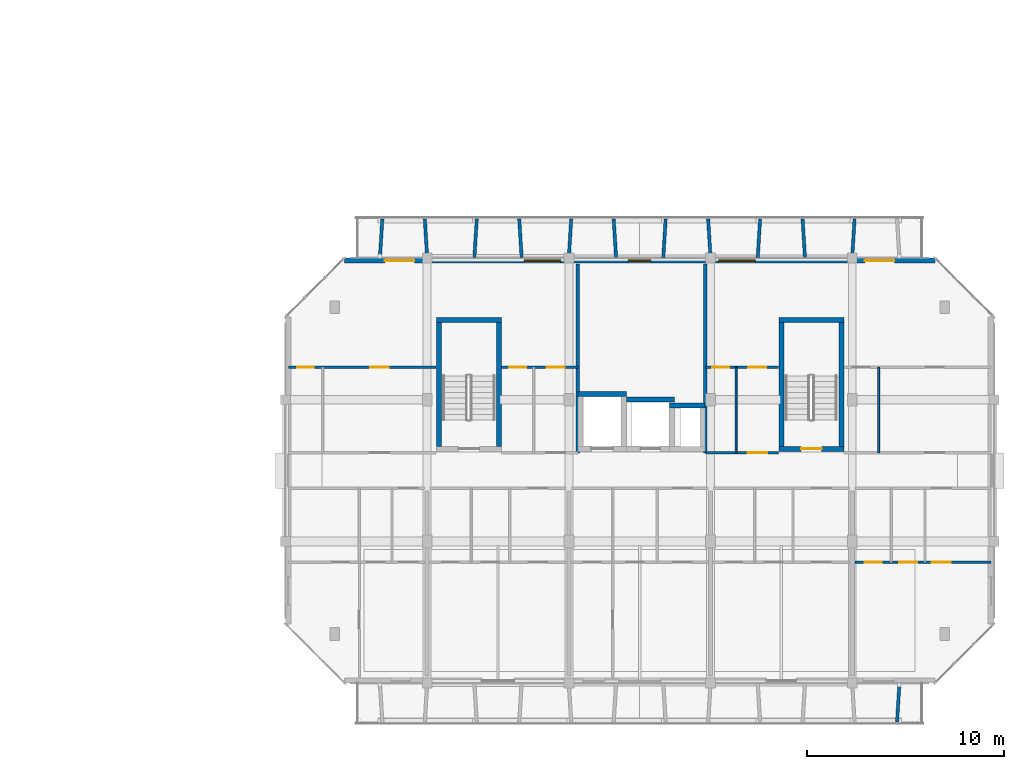
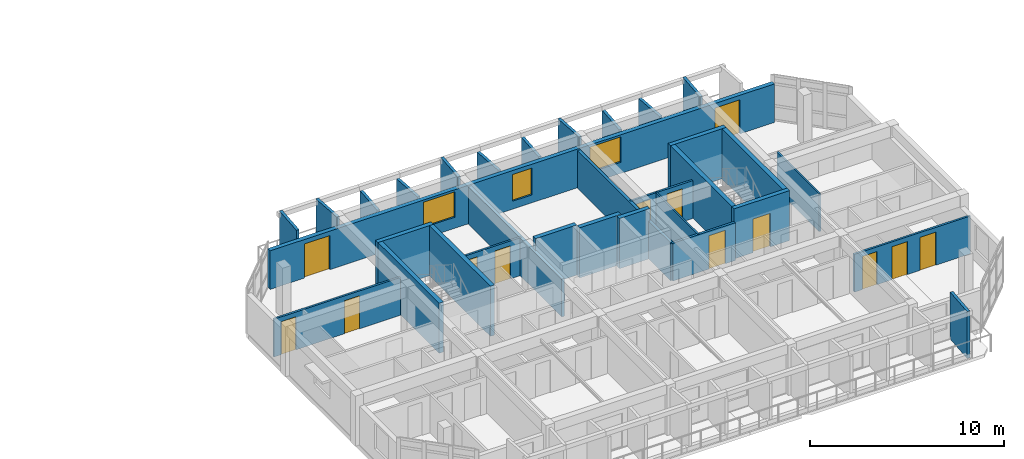
# One storey, part 24 of 40: 32 walls, 13 doors, 3 windows, 16 openings.
"""IFC4 building model written with IfcOpenShell, lengths in metres."""

from ifc_helpers import new_model, si_unit, direction, frame, frame_2d, origin, place, context, subcontext, project, spatial, rectangle, extrude, material, layer, layer_set, type_object, element, fill, save


model = new_model("IFC4")

# Units and contexts
model_context = context("Model", 3, precision=1e-05, world=origin(), true_north=direction((0.0, 1.0)))
body_context = subcontext(model_context, "Body", "Model", "MODEL_VIEW")
ifc_project = project(units=[si_unit("LENGTHUNIT", "METRE"), si_unit("AREAUNIT", "SQUARE_METRE"), si_unit("VOLUMEUNIT", "CUBIC_METRE"), si_unit("PLANEANGLEUNIT", "RADIAN"), si_unit("MASSUNIT", "GRAM", prefix="KILO")], contexts=[model_context])

# Site, building, storey
site_placement = place(None, origin())
site = spatial("IfcSite", under=ifc_project, at=site_placement, CompositionType="ELEMENT")
building_placement = place(site_placement, origin())
building = spatial("IfcBuilding", under=site, at=building_placement, Name="Ochrevale Crest", CompositionType="ELEMENT")
storey_placement = place(building_placement, frame((0.0, 0.0, 27.60009765625)))
storey = spatial("IfcBuildingStorey", under=building, at=storey_placement, Name="L08", CompositionType="ELEMENT", Elevation=27.60009765625)

# Wall, opening, door
ifc_material_1 = material(Name="Gypsum plasterboard", Category="gypsum")
ifc_layer_1 = layer(ifc_material_1, 0.139892578125)
ifc_layer_set_1 = layer_set([ifc_layer_1], Name="Gypsum plasterboard")
wall_type_1 = type_object("IfcWallType", Name="WL-COR-140", PredefinedType="PARTITIONING", material=ifc_layer_set_1)
wall_1_placement = place(storey_placement, frame((150.93994140625, 26.10009765625, 0.0), z_axis=(0.0, 0.0, 1.0), x_axis=(1.0, 0.0, 0.0)))
wall_1 = element("IfcWall", 1, at=wall_1_placement, inside=storey, type_object=wall_type_1, Name="Suite C-L08-ME corridor wall", PredefinedType="PARTITIONING", context=body_context, shape_type="SweptSolid", body=[
    extrude(rectangle(XDim=3.719970703125, YDim=0.139892578125, at=frame_2d((1.85986328125, 0.0))), origin(), (0.0, 0.0, 1.0), 2.3798828125),
])
opening_1_placement = place(wall_1_placement, frame((2.151123046875, 0.0, 0.0)))
opening_1 = element("IfcOpeningElement", 2, at=opening_1_placement, cuts=wall_1, Name="Opening FD01", PredefinedType="OPENING", context=body_context, shape_type="SweptSolid", body=[
    extrude(rectangle(XDim=0.97998046875, YDim=2.10009765625, at=frame_2d((0.489990234375, 1.050048828125))), frame((0.0, 0.080078125, 0.0), z_axis=(0.0, -1.0, 0.0), x_axis=(1.0, 0.0, 0.0)), (0.0, 0.0, 1.0), 0.159912109375),
])
ifc_material_2 = material(Name="Solid-core FSC hardwood", Category="wood")
door_type_1 = type_object("IfcDoorType", Name="DR-APT-950", OperationType="NOTDEFINED", PredefinedType="DOOR", material=ifc_material_2)
door_1_placement = place(opening_1_placement, origin())
door_1 = element("IfcDoor", 3, at=door_1_placement, inside=storey, type_object=door_type_1, Name="Suite C-L08-ME entrance door", OperationType="SINGLE_SWING_LEFT", OverallHeight=2.10009765625, OverallWidth=0.97998046875, PredefinedType="DOOR", context=body_context, shape_type="SweptSolid", body=[
    extrude(rectangle(XDim=0.97998046875, YDim=2.10009765625, at=frame_2d((0.489990234375, 1.050048828125))), frame((0.0, 0.02490234375, 0.0), z_axis=(0.0, -1.0, 0.0), x_axis=(1.0, 0.0, 0.0)), (0.0, 0.0, 1.0), 0.050048828125),
])
fill(opening_1, door_1)

# Walls
ifc_material_3 = material(Name="Precast concrete C50/60", Category="concrete")
ifc_layer_2 = layer(ifc_material_3, 0.2548828125)
ifc_layer_set_2 = layer_set([ifc_layer_2], Name="Precast concrete C50/60")
wall_type_2 = type_object("IfcWallType", Name="WL-CORE-255", PredefinedType="SHEAR", material=ifc_layer_set_2)
wall_2_placement = place(storey_placement, frame((137.2724609375, 32.85009765625, 0.0), z_axis=(0.0, 0.0, 1.0), x_axis=(1.0, 0.0, 0.0)))
element("IfcWall", 4, at=wall_2_placement, inside=storey, type_object=wall_type_2, Name="Block C L08 Stair 1 precast core shear wall N", PredefinedType="SHEAR", context=body_context, shape_type="SweptSolid", body=[
    extrude(rectangle(XDim=3.304931640625, YDim=0.2548828125, at=frame_2d((1.65234375, 0.0))), origin(), (0.0, 0.0, 1.0), 3.14990234375),
])
for number, where, z_axis, x_axis, name in (
    (5, (137.39990234375, 26.427490234375, 0.0), (0.0, 0.0, 1.0), (0.0, 1.0, 0.0), "Block C L08 Stair 1 precast core shear wall W"),
    (6, (140.449951171875, 26.427490234375, 0.0), (0.0, 0.0, 1.0), (0.0, 1.0, 0.0), "Block C L08 Stair 1 precast core shear wall E"),
):
    element("IfcWall", number, at=place(storey_placement, frame(where, z_axis=z_axis, x_axis=x_axis)), inside=storey, type_object=wall_type_2, Name=name, PredefinedType="SHEAR", context=body_context, shape_type="SweptSolid", body=[
        extrude(rectangle(XDim=6.294921875, YDim=0.2548828125, at=frame_2d((3.1474609375, 0.0))), origin(), (0.0, 0.0, 1.0), 3.14990234375),
    ])

# Wall, opening, door
wall_3_placement = place(storey_placement, frame((154.672607421875, 26.300048828125, 0.0), z_axis=(0.0, 0.0, 1.0), x_axis=(1.0, 0.0, 0.0)))
wall_3 = element("IfcWall", 7, at=wall_3_placement, inside=storey, type_object=wall_type_2, Name="Block C L08 Stair 2 precast core shear wall S", PredefinedType="SHEAR", context=body_context, shape_type="SweptSolid", body=[
    extrude(rectangle(XDim=3.304931640625, YDim=0.2548828125, at=frame_2d((1.65234375, 0.0))), origin(), (0.0, 0.0, 1.0), 3.14990234375),
])
opening_2_placement = place(wall_3_placement, frame((1.12744140625, 0.0, 0.0)))
opening_2 = element("IfcOpeningElement", 8, at=opening_2_placement, cuts=wall_3, Name="Opening FD03", PredefinedType="OPENING", context=body_context, shape_type="SweptSolid", body=[
    extrude(rectangle(XDim=1.050048828125, YDim=2.1201171875, at=frame_2d((0.52490234375, 1.06005859375))), frame((0.0, 0.137451171875, 0.0), z_axis=(0.0, -1.0, 0.0), x_axis=(1.0, 0.0, 0.0)), (0.0, 0.0, 1.0), 0.27490234375),
])
door_type_2 = type_object("IfcDoorType", Name="DR-ST-1050", OperationType="NOTDEFINED", PredefinedType="DOOR", material=ifc_material_2)
door_2_placement = place(opening_2_placement, origin())
door_2 = element("IfcDoor", 9, at=door_2_placement, inside=storey, type_object=door_type_2, Name="Block C L08 fire stair 2 door", OperationType="SINGLE_SWING_LEFT", OverallHeight=2.1201171875, OverallWidth=1.050048828125, PredefinedType="DOOR", context=body_context, shape_type="SweptSolid", body=[
    extrude(rectangle(XDim=1.050048828125, YDim=2.1201171875, at=frame_2d((0.52490234375, 1.06005859375))), frame((0.0, 0.02490234375, 0.0), z_axis=(0.0, -1.0, 0.0), x_axis=(1.0, 0.0, 0.0)), (0.0, 0.0, 1.0), 0.050048828125),
])
fill(opening_2, door_2)

# Walls
wall_4_placement = place(storey_placement, frame((154.672607421875, 32.85009765625, 0.0), z_axis=(0.0, 0.0, 1.0), x_axis=(1.0, 0.0, 0.0)))
element("IfcWall", 10, at=wall_4_placement, inside=storey, type_object=wall_type_2, Name="Block C L08 Stair 2 precast core shear wall N", PredefinedType="SHEAR", context=body_context, shape_type="SweptSolid", body=[
    extrude(rectangle(XDim=3.304931640625, YDim=0.2548828125, at=frame_2d((1.65234375, 0.0))), origin(), (0.0, 0.0, 1.0), 3.14990234375),
])
for number, where, z_axis, x_axis, name in (
    (11, (154.800048828125, 26.427490234375, 0.0), (0.0, 0.0, 1.0), (0.0, 1.0, 0.0), "Block C L08 Stair 2 precast core shear wall W"),
    (12, (157.85009765625, 26.427490234375, 0.0), (0.0, 0.0, 1.0), (0.0, 1.0, 0.0), "Block C L08 Stair 2 precast core shear wall E"),
):
    element("IfcWall", number, at=place(storey_placement, frame(where, z_axis=z_axis, x_axis=x_axis)), inside=storey, type_object=wall_type_2, Name=name, PredefinedType="SHEAR", context=body_context, shape_type="SweptSolid", body=[
        extrude(rectangle(XDim=6.294921875, YDim=0.2548828125, at=frame_2d((3.1474609375, 0.0))), origin(), (0.0, 0.0, 1.0), 3.14990234375),
    ])
wall_5_placement = place(storey_placement, frame((144.472412109375, 29.10009765625, 0.0), z_axis=(0.0, 0.0, 1.0), x_axis=(1.0, 0.0, 0.0)))
element("IfcWall", 13, at=wall_5_placement, inside=storey, type_object=wall_type_2, Name="Block C L08 Lift 1 precast shaft shear wall N", PredefinedType="SHEAR", context=body_context, shape_type="SweptSolid", body=[
    extrude(rectangle(XDim=2.455078125, YDim=0.2548828125, at=frame_2d((1.2275390625, 0.0))), origin(), (0.0, 0.0, 1.0), 3.14990234375),
])
wall_6_placement = place(storey_placement, frame((146.922607421875, 28.800048828125, 0.0), z_axis=(0.0, 0.0, 1.0), x_axis=(1.0, 0.0, 0.0)))
element("IfcWall", 14, at=wall_6_placement, inside=storey, type_object=wall_type_2, Name="Block C L08 Lift 2 precast shaft shear wall N", PredefinedType="SHEAR", context=body_context, shape_type="SweptSolid", body=[
    extrude(rectangle(XDim=2.454833984375, YDim=0.2548828125, at=frame_2d((1.2275390625, 0.0))), origin(), (0.0, 0.0, 1.0), 3.14990234375),
])
wall_7_placement = place(storey_placement, frame((149.12255859375, 28.5, 0.0), z_axis=(0.0, 0.0, 1.0), x_axis=(1.0, 0.0, 0.0)))
element("IfcWall", 15, at=wall_7_placement, inside=storey, type_object=wall_type_2, Name="Block C L08 services riser shaft core wall N", PredefinedType="SHEAR", context=body_context, shape_type="SweptSolid", body=[
    extrude(rectangle(XDim=1.804931640625, YDim=0.2548828125, at=frame_2d((0.90234375, 0.0))), origin(), (0.0, 0.0, 1.0), 3.14990234375),
])

# Wall, openings, doors, windows
ifc_material_4 = material(Name="Precast concrete C40/50", Category="concrete")
ifc_layer_3 = layer(ifc_material_4, 0.25)
ifc_layer_set_3 = layer_set([ifc_layer_3], Name="Precast concrete C40/50")
wall_type_3 = type_object("IfcWallType", Name="WL-EXT-GOLD-250", PredefinedType="SOLIDWALL", material=ifc_layer_set_3)
wall_8_placement = place(storey_placement, frame((162.60009765625, 35.875, 0.0), z_axis=(0.0, 0.0, 1.0), x_axis=(-1.0, 0.0, 0.0)))
wall_8 = element("IfcWall", 16, at=wall_8_placement, inside=storey, type_object=wall_type_3, Name="Block C L08 external facade wall E5", PredefinedType="SOLIDWALL", context=body_context, shape_type="SweptSolid", body=[
    extrude(rectangle(XDim=30.0, YDim=0.25, at=frame_2d((15.0, 0.0))), origin(), (0.0, 0.0, 1.0), 2.429931640625),
])
opening_3_placement = place(wall_8_placement, frame((27.949951171875, 0.0, 0.0), z_axis=(0.0, 0.0, 1.0), x_axis=(-1.0, 0.0, 0.0)))
opening_3 = element("IfcOpeningElement", 17, at=opening_3_placement, cuts=wall_8, Name="Opening BD01", PredefinedType="OPENING", context=body_context, shape_type="SweptSolid", body=[
    extrude(rectangle(XDim=1.5, YDim=2.14990234375, at=frame_2d((0.75, 1.074951171875))), frame((0.0, 0.135009765625, 0.0), z_axis=(0.0, -1.0, 0.0), x_axis=(1.0, 0.0, 0.0)), (0.0, 0.0, 1.0), 0.27001953125),
])
opening_4_placement = place(wall_8_placement, frame((3.550048828125, 0.0, 0.0), z_axis=(0.0, 0.0, 1.0), x_axis=(-1.0, 0.0, 0.0)))
opening_4 = element("IfcOpeningElement", 18, at=opening_4_placement, cuts=wall_8, Name="Opening BD01", PredefinedType="OPENING", context=body_context, shape_type="SweptSolid", body=[
    extrude(rectangle(XDim=1.5, YDim=2.14990234375, at=frame_2d((0.75, 1.074951171875))), frame((0.0, 0.135009765625, 0.0), z_axis=(0.0, -1.0, 0.0), x_axis=(1.0, 0.0, 0.0)), (0.0, 0.0, 1.0), 0.27001953125),
])
opening_5_placement = place(wall_8_placement, frame((14.425048828125, 0.0, 0.5)))
opening_5 = element("IfcOpeningElement", 19, at=opening_5_placement, cuts=wall_8, Name="Opening W32", PredefinedType="OPENING", context=body_context, shape_type="SweptSolid", body=[
    extrude(rectangle(XDim=1.14990234375, YDim=1.679931640625, at=frame_2d((0.574951171875, 0.83984375))), frame((0.0, 0.135009765625, 0.0), z_axis=(0.0, -1.0, 0.0), x_axis=(1.0, 0.0, 0.0)), (0.0, 0.0, 1.0), 0.27001953125),
])
opening_6_placement = place(wall_8_placement, frame((9.125, 0.0, 0.699951171875)))
opening_6 = element("IfcOpeningElement", 20, at=opening_6_placement, cuts=wall_8, Name="Opening W11", PredefinedType="OPENING", context=body_context, shape_type="SweptSolid", body=[
    extrude(rectangle(XDim=1.860107421875, YDim=1.60009765625, at=frame_2d((0.93017578125, 0.800048828125))), frame((0.0, 0.135009765625, 0.0), z_axis=(0.0, -1.0, 0.0), x_axis=(1.0, 0.0, 0.0)), (0.0, 0.0, 1.0), 0.27001953125),
])
opening_7_placement = place(wall_8_placement, frame((19.014892578125, 0.0, 0.699951171875)))
opening_7 = element("IfcOpeningElement", 21, at=opening_7_placement, cuts=wall_8, Name="Opening W11", PredefinedType="OPENING", context=body_context, shape_type="SweptSolid", body=[
    extrude(rectangle(XDim=1.860107421875, YDim=1.60009765625, at=frame_2d((0.93017578125, 0.800048828125))), frame((0.0, 0.135009765625, 0.0), z_axis=(0.0, -1.0, 0.0), x_axis=(1.0, 0.0, 0.0)), (0.0, 0.0, 1.0), 0.27001953125),
])
ifc_material_5 = material(Name="Anodised aluminium 6063-T5 and toughened glass", Category="aluminium")
door_type_3 = type_object("IfcDoorType", Name="DR-BAL-1500", OperationType="NOTDEFINED", PredefinedType="DOOR", material=ifc_material_5)
door_3_placement = place(opening_3_placement, origin())
door_3 = element("IfcDoor", 22, at=door_3_placement, inside=storey, type_object=door_type_3, Name="Block C L08 balcony door N1", OperationType="SINGLE_SWING_RIGHT", OverallHeight=2.14990234375, OverallWidth=1.5, PredefinedType="DOOR", context=body_context, shape_type="SweptSolid", body=[
    extrude(rectangle(XDim=1.5, YDim=2.14990234375, at=frame_2d((0.75, 1.074951171875))), frame((0.0, 0.02490234375, 0.0), z_axis=(0.0, -1.0, 0.0), x_axis=(1.0, 0.0, 0.0)), (0.0, 0.0, 1.0), 0.050048828125),
])
fill(opening_3, door_3)
door_4_placement = place(opening_4_placement, origin())
door_4 = element("IfcDoor", 23, at=door_4_placement, inside=storey, type_object=door_type_3, Name="Block C L08 balcony door N5", OperationType="SINGLE_SWING_LEFT", OverallHeight=2.14990234375, OverallWidth=1.5, PredefinedType="DOOR", context=body_context, shape_type="SweptSolid", body=[
    extrude(rectangle(XDim=1.5, YDim=2.14990234375, at=frame_2d((0.75, 1.074951171875))), frame((0.0, 0.02490234375, 0.0), z_axis=(0.0, -1.0, 0.0), x_axis=(1.0, 0.0, 0.0)), (0.0, 0.0, 1.0), 0.050048828125),
])
fill(opening_4, door_4)
ifc_material_6 = material(Name="Anodised aluminium 6063-T5 and low-E double glazing", Category="aluminium")
window_type_1 = type_object("IfcWindowType", Name="WIN-W11", PartitioningType="SINGLE_PANEL", PredefinedType="WINDOW", material=ifc_material_6)
window_1_placement = place(opening_6_placement, origin())
window_1 = element("IfcWindow", 24, at=window_1_placement, inside=storey, type_object=window_type_1, Name="Block C L08 Suite C-L08-ME Garden Alcove Studio window", OverallHeight=1.60009765625, OverallWidth=1.860107421875, PartitioningType="SINGLE_PANEL", PredefinedType="WINDOW", context=body_context, shape_type="SweptSolid", body=[
    extrude(rectangle(XDim=1.860107421875, YDim=1.60009765625, at=frame_2d((0.93017578125, 0.800048828125))), frame((0.0, 0.030029296875, 0.0), z_axis=(0.0, -1.0, 0.0), x_axis=(1.0, 0.0, 0.0)), (0.0, 0.0, 1.0), 0.06005859375),
])
fill(opening_6, window_1)
window_2_placement = place(opening_7_placement, origin())
window_2 = element("IfcWindow", 25, at=window_2_placement, inside=storey, type_object=window_type_1, Name="Block C L08 Suite C-L08-MW Courtyard Studio Living window", OverallHeight=1.60009765625, OverallWidth=1.860107421875, PartitioningType="SINGLE_PANEL", PredefinedType="WINDOW", context=body_context, shape_type="SweptSolid", body=[
    extrude(rectangle(XDim=1.860107421875, YDim=1.60009765625, at=frame_2d((0.93017578125, 0.800048828125))), frame((0.0, 0.030029296875, 0.0), z_axis=(0.0, -1.0, 0.0), x_axis=(1.0, 0.0, 0.0)), (0.0, 0.0, 1.0), 0.06005859375),
])
fill(opening_7, window_2)
window_type_2 = type_object("IfcWindowType", Name="WIN-W32", PartitioningType="SINGLE_PANEL", PredefinedType="WINDOW", material=ifc_material_6)
window_3_placement = place(opening_5_placement, origin())
window_3 = element("IfcWindow", 26, at=window_3_placement, inside=storey, type_object=window_type_2, Name="Block C L08 core lancet window", OverallHeight=1.679931640625, OverallWidth=1.14990234375, PartitioningType="SINGLE_PANEL", PredefinedType="WINDOW", context=body_context, shape_type="SweptSolid", body=[
    extrude(rectangle(XDim=1.14990234375, YDim=1.679931640625, at=frame_2d((0.574951171875, 0.83984375))), frame((0.0, 0.030029296875, 0.0), z_axis=(0.0, -1.0, 0.0), x_axis=(1.0, 0.0, 0.0)), (0.0, 0.0, 1.0), 0.06005859375),
])
fill(opening_5, window_3)

# Walls
ifc_layer_4 = layer(ifc_material_4, 0.1650390625)
ifc_layer_set_4 = layer_set([ifc_layer_4], Name="Precast concrete C40/50")
wall_type_4 = type_object("IfcWallType", Name="WL-HC-CHEEK-165", PredefinedType="ELEMENTEDWALL", material=ifc_layer_set_4)
for number, where, z_axis, x_axis, name in (
    (27, (160.800048828125, 14.3798828125, 0.0), (0.0, 0.0, 1.0), (-0.061170732449, -0.998127317276, 0.0), "Block C L08 S precast honeycomb cheek 12"),
    (28, (134.39990234375, 36.02001953125, 0.0), (0.0, 0.0, 1.0), (0.061170732449, 0.998127317276, 0.0), "Block C L08 N precast honeycomb cheek 1"),
    (29, (136.800048828125, 36.02001953125, 0.0), (0.0, 0.0, 1.0), (-0.061170732449, 0.998127317276, 0.0), "Block C L08 N precast honeycomb cheek 2"),
):
    element("IfcWall", number, at=place(storey_placement, frame(where, z_axis=z_axis, x_axis=x_axis)), inside=storey, type_object=wall_type_4, Name=name, PredefinedType="ELEMENTEDWALL", context=body_context, shape_type="SweptSolid", body=[
        extrude(rectangle(XDim=1.963623046875, YDim=0.1650390625, at=frame_2d((0.98193359375, 0.0))), origin(), (0.0, 0.0, 1.0), 2.949951171875),
    ])
for number, where, z_axis, x_axis, name in (
    (30, (139.199951171875, 36.02001953125, 0.0), (0.0, 0.0, 1.0), (0.061170732449, 0.998127317276, 0.0), "Block C L08 N precast honeycomb cheek 3"),
    (31, (141.60009765625, 36.02001953125, 0.0), (0.0, 0.0, 1.0), (-0.061170732449, 0.998127317276, 0.0), "Block C L08 N precast honeycomb cheek 4"),
):
    element("IfcWall", number, at=place(storey_placement, frame(where, z_axis=z_axis, x_axis=x_axis)), inside=storey, type_object=wall_type_4, Name=name, PredefinedType="ELEMENTEDWALL", context=body_context, shape_type="SweptSolid", body=[
        extrude(rectangle(XDim=1.963623046875, YDim=0.1650390625, at=frame_2d((0.98193359375, 0.0))), origin(), (0.0, 0.0, 1.0), 2.52978515625),
    ])
wall_9_placement = place(storey_placement, frame((144.0, 36.02001953125, 0.0), z_axis=(0.0, 0.0, 1.0), x_axis=(0.061170732449, 0.998127317276, 0.0)))
element("IfcWall", 32, at=wall_9_placement, inside=storey, type_object=wall_type_4, Name="Block C L08 N precast honeycomb cheek 5", PredefinedType="ELEMENTEDWALL", context=body_context, shape_type="SweptSolid", body=[
    extrude(rectangle(XDim=1.963623046875, YDim=0.1650390625, at=frame_2d((0.98193359375, 0.0))), origin(), (0.0, 0.0, 1.0), 2.949951171875),
])
for number, where, z_axis, x_axis, name in (
    (33, (146.39990234375, 36.02001953125, 0.0), (0.0, 0.0, 1.0), (-0.061046865508, 0.998134900808, 0.0), "Block C L08 N precast honeycomb cheek 6"),
    (34, (148.800048828125, 36.02001953125, 0.0), (0.0, 0.0, 1.0), (0.061046865508, 0.998134900808, 0.0), "Block C L08 N precast honeycomb cheek 7"),
):
    element("IfcWall", number, at=place(storey_placement, frame(where, z_axis=z_axis, x_axis=x_axis)), inside=storey, type_object=wall_type_4, Name=name, PredefinedType="ELEMENTEDWALL", context=body_context, shape_type="SweptSolid", body=[
        extrude(rectangle(XDim=1.963623046875, YDim=0.1650390625, at=frame_2d((0.98193359375, 0.0))), origin(), (0.0, 0.0, 1.0), 2.52978515625),
    ])
wall_10_placement = place(storey_placement, frame((151.199951171875, 36.02001953125, 0.0), z_axis=(0.0, 0.0, 1.0), x_axis=(-0.061046865508, 0.998134900808, 0.0)))
element("IfcWall", 35, at=wall_10_placement, inside=storey, type_object=wall_type_4, Name="Block C L08 N precast honeycomb cheek 8", PredefinedType="ELEMENTEDWALL", context=body_context, shape_type="SweptSolid", body=[
    extrude(rectangle(XDim=1.963623046875, YDim=0.1650390625, at=frame_2d((0.98193359375, 0.0))), origin(), (0.0, 0.0, 1.0), 2.949951171875),
])
for number, where, z_axis, x_axis, name in (
    (36, (153.60009765625, 36.02001953125, 0.0), (0.0, 0.0, 1.0), (0.061046865508, 0.998134900808, 0.0), "Block C L08 N precast honeycomb cheek 9"),
    (37, (156.0, 36.02001953125, 0.0), (0.0, 0.0, 1.0), (-0.061170732449, 0.998127317276, 0.0), "Block C L08 N precast honeycomb cheek 10"),
):
    element("IfcWall", number, at=place(storey_placement, frame(where, z_axis=z_axis, x_axis=x_axis)), inside=storey, type_object=wall_type_4, Name=name, PredefinedType="ELEMENTEDWALL", context=body_context, shape_type="SweptSolid", body=[
        extrude(rectangle(XDim=1.963623046875, YDim=0.1650390625, at=frame_2d((0.98193359375, 0.0))), origin(), (0.0, 0.0, 1.0), 2.5498046875),
    ])
wall_11_placement = place(storey_placement, frame((158.39990234375, 36.02001953125, 0.0), z_axis=(0.0, 0.0, 1.0), x_axis=(0.061170732449, 0.998127317276, 0.0)))
element("IfcWall", 38, at=wall_11_placement, inside=storey, type_object=wall_type_4, Name="Block C L08 N precast honeycomb cheek 11", PredefinedType="ELEMENTEDWALL", context=body_context, shape_type="SweptSolid", body=[
    extrude(rectangle(XDim=1.963623046875, YDim=0.1650390625, at=frame_2d((0.98193359375, 0.0))), origin(), (0.0, 0.0, 1.0), 2.949951171875),
])

# Wall, openings, doors
ifc_layer_5 = layer(ifc_material_1, 0.1201171875)
ifc_layer_set_5 = layer_set([ifc_layer_5], Name="Gypsum plasterboard")
wall_type_5 = type_object("IfcWallType", Name="WL-PART-120", PredefinedType="PARTITIONING", material=ifc_layer_set_5)
wall_12_placement = place(storey_placement, frame((158.5400390625, 20.550048828125, 0.0), z_axis=(0.0, 0.0, 1.0), x_axis=(1.0, 0.0, 0.0)))
wall_12 = element("IfcWall", 39, at=wall_12_placement, inside=storey, type_object=wall_type_5, Name="Apartment C-L08-U5 central partition", PredefinedType="PARTITIONING", context=body_context, shape_type="SweptSolid", body=[
    extrude(rectangle(XDim=6.919921875, YDim=0.1201171875, at=frame_2d((3.4599609375, 0.0))), origin(), (0.0, 0.0, 1.0), 2.3798828125),
])
opening_8_placement = place(wall_12_placement, frame((1.35009765625, 0.0, 0.0), z_axis=(0.0, 0.0, 1.0), x_axis=(-1.0, 0.0, 0.0)))
opening_8 = element("IfcOpeningElement", 40, at=opening_8_placement, cuts=wall_12, Name="Opening ID01", PredefinedType="OPENING", context=body_context, shape_type="SweptSolid", body=[
    extrude(rectangle(XDim=0.85009765625, YDim=2.080078125, at=frame_2d((0.425048828125, 1.0400390625))), frame((0.0, 0.070068359375, 0.0), z_axis=(0.0, -1.0, 0.0), x_axis=(1.0, 0.0, 0.0)), (0.0, 0.0, 1.0), 0.14013671875),
])
opening_9_placement = place(wall_12_placement, frame((2.2548828125, 0.0, 0.0)))
opening_9 = element("IfcOpeningElement", 41, at=opening_9_placement, cuts=wall_12, Name="Opening ID02", PredefinedType="OPENING", context=body_context, shape_type="SweptSolid", body=[
    extrude(rectangle(XDim=0.89990234375, YDim=2.080078125, at=frame_2d((0.449951171875, 1.0400390625))), frame((0.0, 0.070068359375, 0.0), z_axis=(0.0, -1.0, 0.0), x_axis=(1.0, 0.0, 0.0)), (0.0, 0.0, 1.0), 0.14013671875),
])
opening_10_placement = place(wall_12_placement, frame((4.85986328125, 0.0, 0.0), z_axis=(0.0, 0.0, 1.0), x_axis=(-1.0, 0.0, 0.0)))
opening_10 = element("IfcOpeningElement", 42, at=opening_10_placement, cuts=wall_12, Name="Opening ID06", PredefinedType="OPENING", context=body_context, shape_type="SweptSolid", body=[
    extrude(rectangle(XDim=0.949951171875, YDim=2.080078125, at=frame_2d((0.47509765625, 1.0400390625))), frame((0.0, 0.070068359375, 0.0), z_axis=(0.0, -1.0, 0.0), x_axis=(1.0, 0.0, 0.0)), (0.0, 0.0, 1.0), 0.14013671875),
])
door_type_4 = type_object("IfcDoorType", Name="DR-INT-900", OperationType="NOTDEFINED", PredefinedType="DOOR", material=ifc_material_2)
door_5_placement = place(opening_9_placement, origin())
door_5 = element("IfcDoor", 43, at=door_5_placement, inside=storey, type_object=door_type_4, Name="Apartment C-L08-U5 Kitchen door", OperationType="SINGLE_SWING_LEFT", OverallHeight=2.080078125, OverallWidth=0.89990234375, PredefinedType="DOOR", context=body_context, shape_type="SweptSolid", body=[
    extrude(rectangle(XDim=0.89990234375, YDim=2.080078125, at=frame_2d((0.449951171875, 1.0400390625))), frame((0.0, 0.02490234375, 0.0), z_axis=(0.0, -1.0, 0.0), x_axis=(1.0, 0.0, 0.0)), (0.0, 0.0, 1.0), 0.050048828125),
])
fill(opening_9, door_5)
door_type_5 = type_object("IfcDoorType", Name="DR-INT-950", OperationType="NOTDEFINED", PredefinedType="DOOR", material=ifc_material_2)
door_6_placement = place(opening_10_placement, origin())
door_6 = element("IfcDoor", 44, at=door_6_placement, inside=storey, type_object=door_type_5, Name="Apartment C-L08-U5 Living Foyer door", OperationType="SINGLE_SWING_RIGHT", OverallHeight=2.080078125, OverallWidth=0.949951171875, PredefinedType="DOOR", context=body_context, shape_type="SweptSolid", body=[
    extrude(rectangle(XDim=0.949951171875, YDim=2.080078125, at=frame_2d((0.47509765625, 1.0400390625))), frame((0.0, 0.02490234375, 0.0), z_axis=(0.0, -1.0, 0.0), x_axis=(1.0, 0.0, 0.0)), (0.0, 0.0, 1.0), 0.050048828125),
])
fill(opening_10, door_6)
door_type_6 = type_object("IfcDoorType", Name="DR-WC-850", OperationType="NOTDEFINED", PredefinedType="DOOR", material=ifc_material_2)
door_7_placement = place(opening_8_placement, origin())
door_7 = element("IfcDoor", 45, at=door_7_placement, inside=storey, type_object=door_type_6, Name="Apartment C-L08-U5 Bathroom door", OperationType="SINGLE_SWING_RIGHT", OverallHeight=2.080078125, OverallWidth=0.85009765625, PredefinedType="DOOR", context=body_context, shape_type="SweptSolid", body=[
    extrude(rectangle(XDim=0.85009765625, YDim=2.080078125, at=frame_2d((0.425048828125, 1.0400390625))), frame((0.0, 0.02490234375, 0.0), z_axis=(0.0, -1.0, 0.0), x_axis=(1.0, 0.0, 0.0)), (0.0, 0.0, 1.0), 0.050048828125),
])
fill(opening_8, door_7)

wall_13_placement = place(storey_placement, frame((129.739990234375, 30.449951171875, 0.0), z_axis=(0.0, 0.0, 1.0), x_axis=(1.0, 0.0, 0.0)))
wall_13 = element("IfcWall", 46, at=wall_13_placement, inside=storey, type_object=wall_type_5, Name="Suite C-L08-CW internal wall", PredefinedType="PARTITIONING", context=body_context, shape_type="SweptSolid", body=[
    extrude(rectangle(XDim=7.52001953125, YDim=0.1201171875, at=frame_2d((3.760009765625, 0.0))), origin(), (0.0, 0.0, 1.0), 2.3798828125),
])
opening_11_placement = place(wall_13_placement, frame((1.300048828125, 0.0, 0.0), z_axis=(0.0, 0.0, 1.0), x_axis=(-1.0, 0.0, 0.0)))
opening_11 = element("IfcOpeningElement", 47, at=opening_11_placement, cuts=wall_13, Name="Opening ID01", PredefinedType="OPENING", context=body_context, shape_type="SweptSolid", body=[
    extrude(rectangle(XDim=0.85009765625, YDim=2.080078125, at=frame_2d((0.425048828125, 1.0400390625))), frame((0.0, 0.070068359375, 0.0), z_axis=(0.0, -1.0, 0.0), x_axis=(1.0, 0.0, 0.0)), (0.0, 0.0, 1.0), 0.14013671875),
])
opening_12_placement = place(wall_13_placement, frame((4.175048828125, 0.0, 0.0)))
opening_12 = element("IfcOpeningElement", 48, at=opening_12_placement, cuts=wall_13, Name="Opening ID04", PredefinedType="OPENING", context=body_context, shape_type="SweptSolid", body=[
    extrude(rectangle(XDim=0.919921875, YDim=2.080078125, at=frame_2d((0.4599609375, 1.0400390625))), frame((0.0, 0.070068359375, 0.0), z_axis=(0.0, -1.0, 0.0), x_axis=(1.0, 0.0, 0.0)), (0.0, 0.0, 1.0), 0.14013671875),
])
door_type_7 = type_object("IfcDoorType", Name="DR-INT-920", OperationType="NOTDEFINED", PredefinedType="DOOR", material=ifc_material_2)
door_8_placement = place(opening_12_placement, origin())
door_8 = element("IfcDoor", 49, at=door_8_placement, inside=storey, type_object=door_type_7, Name="Suite C-L08-CW Garden Alcove Studio door", OperationType="SINGLE_SWING_LEFT", OverallHeight=2.080078125, OverallWidth=0.919921875, PredefinedType="DOOR", context=body_context, shape_type="SweptSolid", body=[
    extrude(rectangle(XDim=0.919921875, YDim=2.080078125, at=frame_2d((0.4599609375, 1.0400390625))), frame((0.0, 0.02490234375, 0.0), z_axis=(0.0, -1.0, 0.0), x_axis=(1.0, 0.0, 0.0)), (0.0, 0.0, 1.0), 0.050048828125),
])
fill(opening_12, door_8)
door_9_placement = place(opening_11_placement, origin())
door_9 = element("IfcDoor", 50, at=door_9_placement, inside=storey, type_object=door_type_6, Name="Suite C-L08-CW Bathroom door", OperationType="SINGLE_SWING_RIGHT", OverallHeight=2.080078125, OverallWidth=0.85009765625, PredefinedType="DOOR", context=body_context, shape_type="SweptSolid", body=[
    extrude(rectangle(XDim=0.85009765625, YDim=2.080078125, at=frame_2d((0.425048828125, 1.0400390625))), frame((0.0, 0.02490234375, 0.0), z_axis=(0.0, -1.0, 0.0), x_axis=(1.0, 0.0, 0.0)), (0.0, 0.0, 1.0), 0.050048828125),
])
fill(opening_11, door_9)

wall_14_placement = place(storey_placement, frame((140.590087890625, 30.449951171875, 0.0), z_axis=(0.0, 0.0, 1.0), x_axis=(1.0, 0.0, 0.0)))
wall_14 = element("IfcWall", 51, at=wall_14_placement, inside=storey, type_object=wall_type_5, Name="Suite C-L08-MW internal wall", PredefinedType="PARTITIONING", context=body_context, shape_type="SweptSolid", body=[
    extrude(rectangle(XDim=3.869873046875, YDim=0.1201171875, at=frame_2d((1.93505859375, 0.0))), origin(), (0.0, 0.0, 1.0), 2.3798828125),
])
opening_13_placement = place(wall_14_placement, frame((0.3876953125, 0.0, 0.0)))
opening_13 = element("IfcOpeningElement", 52, at=opening_13_placement, cuts=wall_14, Name="Opening ID01", PredefinedType="OPENING", context=body_context, shape_type="SweptSolid", body=[
    extrude(rectangle(XDim=0.85009765625, YDim=2.080078125, at=frame_2d((0.425048828125, 1.0400390625))), frame((0.0, 0.070068359375, 0.0), z_axis=(0.0, -1.0, 0.0), x_axis=(1.0, 0.0, 0.0)), (0.0, 0.0, 1.0), 0.14013671875),
])
opening_14_placement = place(wall_14_placement, frame((3.20751953125, 0.0, 0.0), z_axis=(0.0, 0.0, 1.0), x_axis=(-1.0, 0.0, 0.0)))
opening_14 = element("IfcOpeningElement", 53, at=opening_14_placement, cuts=wall_14, Name="Opening ID04", PredefinedType="OPENING", context=body_context, shape_type="SweptSolid", body=[
    extrude(rectangle(XDim=0.919921875, YDim=2.080078125, at=frame_2d((0.4599609375, 1.0400390625))), frame((0.0, 0.070068359375, 0.0), z_axis=(0.0, -1.0, 0.0), x_axis=(1.0, 0.0, 0.0)), (0.0, 0.0, 1.0), 0.14013671875),
])
door_10_placement = place(opening_14_placement, origin())
door_10 = element("IfcDoor", 54, at=door_10_placement, inside=storey, type_object=door_type_7, Name="Suite C-L08-MW Courtyard Studio Living door", OperationType="SINGLE_SWING_RIGHT", OverallHeight=2.080078125, OverallWidth=0.919921875, PredefinedType="DOOR", context=body_context, shape_type="SweptSolid", body=[
    extrude(rectangle(XDim=0.919921875, YDim=2.080078125, at=frame_2d((0.4599609375, 1.0400390625))), frame((0.0, 0.02490234375, 0.0), z_axis=(0.0, -1.0, 0.0), x_axis=(1.0, 0.0, 0.0)), (0.0, 0.0, 1.0), 0.050048828125),
])
fill(opening_14, door_10)
door_11_placement = place(opening_13_placement, origin())
door_11 = element("IfcDoor", 55, at=door_11_placement, inside=storey, type_object=door_type_6, Name="Suite C-L08-MW Bathroom door", OperationType="SINGLE_SWING_LEFT", OverallHeight=2.080078125, OverallWidth=0.85009765625, PredefinedType="DOOR", context=body_context, shape_type="SweptSolid", body=[
    extrude(rectangle(XDim=0.85009765625, YDim=2.080078125, at=frame_2d((0.425048828125, 1.0400390625))), frame((0.0, 0.02490234375, 0.0), z_axis=(0.0, -1.0, 0.0), x_axis=(1.0, 0.0, 0.0)), (0.0, 0.0, 1.0), 0.050048828125),
])
fill(opening_13, door_11)

wall_15_placement = place(storey_placement, frame((150.93994140625, 30.449951171875, 0.0), z_axis=(0.0, 0.0, 1.0), x_axis=(1.0, 0.0, 0.0)))
wall_15 = element("IfcWall", 56, at=wall_15_placement, inside=storey, type_object=wall_type_5, Name="Suite C-L08-ME internal wall", PredefinedType="PARTITIONING", context=body_context, shape_type="SweptSolid", body=[
    extrude(rectangle(XDim=3.719970703125, YDim=0.1201171875, at=frame_2d((1.85986328125, 0.0))), origin(), (0.0, 0.0, 1.0), 2.3798828125),
])
opening_15_placement = place(wall_15_placement, frame((1.206298828125, 0.0, 0.0), z_axis=(0.0, 0.0, 1.0), x_axis=(-1.0, 0.0, 0.0)))
opening_15 = element("IfcOpeningElement", 57, at=opening_15_placement, cuts=wall_15, Name="Opening ID01", PredefinedType="OPENING", context=body_context, shape_type="SweptSolid", body=[
    extrude(rectangle(XDim=0.85009765625, YDim=2.080078125, at=frame_2d((0.425048828125, 1.0400390625))), frame((0.0, 0.070068359375, 0.0), z_axis=(0.0, -1.0, 0.0), x_axis=(1.0, 0.0, 0.0)), (0.0, 0.0, 1.0), 0.14013671875),
])
opening_16_placement = place(wall_15_placement, frame((2.18115234375, 0.0, 0.0)))
opening_16 = element("IfcOpeningElement", 58, at=opening_16_placement, cuts=wall_15, Name="Opening ID04", PredefinedType="OPENING", context=body_context, shape_type="SweptSolid", body=[
    extrude(rectangle(XDim=0.919921875, YDim=2.080078125, at=frame_2d((0.4599609375, 1.0400390625))), frame((0.0, 0.070068359375, 0.0), z_axis=(0.0, -1.0, 0.0), x_axis=(1.0, 0.0, 0.0)), (0.0, 0.0, 1.0), 0.14013671875),
])
door_12_placement = place(opening_16_placement, origin())
door_12 = element("IfcDoor", 59, at=door_12_placement, inside=storey, type_object=door_type_7, Name="Suite C-L08-ME Garden Alcove Studio door", OperationType="SINGLE_SWING_LEFT", OverallHeight=2.080078125, OverallWidth=0.919921875, PredefinedType="DOOR", context=body_context, shape_type="SweptSolid", body=[
    extrude(rectangle(XDim=0.919921875, YDim=2.080078125, at=frame_2d((0.4599609375, 1.0400390625))), frame((0.0, 0.02490234375, 0.0), z_axis=(0.0, -1.0, 0.0), x_axis=(1.0, 0.0, 0.0)), (0.0, 0.0, 1.0), 0.050048828125),
])
fill(opening_16, door_12)
door_13_placement = place(opening_15_placement, origin())
door_13 = element("IfcDoor", 60, at=door_13_placement, inside=storey, type_object=door_type_6, Name="Suite C-L08-ME Bathroom door", OperationType="SINGLE_SWING_RIGHT", OverallHeight=2.080078125, OverallWidth=0.85009765625, PredefinedType="DOOR", context=body_context, shape_type="SweptSolid", body=[
    extrude(rectangle(XDim=0.85009765625, YDim=2.080078125, at=frame_2d((0.425048828125, 1.0400390625))), frame((0.0, 0.02490234375, 0.0), z_axis=(0.0, -1.0, 0.0), x_axis=(1.0, 0.0, 0.0)), (0.0, 0.0, 1.0), 0.050048828125),
])
fill(opening_15, door_13)

# Walls
ifc_layer_6 = layer(ifc_material_1, 0.169921875)
ifc_layer_set_6 = layer_set([ifc_layer_6], Name="Gypsum plasterboard")
wall_type_6 = type_object("IfcWallType", Name="WL-TEN-170", PredefinedType="PARTITIONING", material=ifc_layer_set_6)
for number, where, z_axis, x_axis, name in (
    (61, (144.4599609375, 26.10009765625, 0.0), (0.0, 0.0, 1.0), (0.0, 1.0, 0.0), "Suite C-L08-MW east party wall"),
    (62, (150.93994140625, 26.10009765625, 0.0), (0.0, 0.0, 1.0), (0.0, 1.0, 0.0), "Suite C-L08-ME west party wall"),
):
    element("IfcWall", number, at=place(storey_placement, frame(where, z_axis=z_axis, x_axis=x_axis)), inside=storey, type_object=wall_type_6, Name=name, PredefinedType="PARTITIONING", context=body_context, shape_type="SweptSolid", body=[
        extrude(rectangle(XDim=9.599853515625, YDim=0.169921875, at=frame_2d((4.7998046875, 0.0))), origin(), (0.0, 0.0, 1.0), 2.3798828125),
    ])
ifc_layer_7 = layer(ifc_material_1, 0.10009765625)
ifc_layer_set_7 = layer_set([ifc_layer_7], Name="Gypsum plasterboard")
wall_type_7 = type_object("IfcWallType", Name="WL-WET-100", PredefinedType="PARTITIONING", material=ifc_layer_set_7)
for number, where, z_axis, x_axis, name in (
    (63, (152.50244140625, 26.10009765625, 0.0), (0.0, 0.0, 1.0), (0.0, 1.0, 0.0), "Suite C-L08-ME bathroom divider"),
    (64, (159.739990234375, 26.10009765625, 0.0), (0.0, 0.0, 1.0), (0.0, 1.0, 0.0), "Suite C-L08-CE bathroom divider"),
):
    element("IfcWall", number, at=place(storey_placement, frame(where, z_axis=z_axis, x_axis=x_axis)), inside=storey, type_object=wall_type_7, Name=name, PredefinedType="PARTITIONING", context=body_context, shape_type="SweptSolid", body=[
        extrude(rectangle(XDim=4.349853515625, YDim=0.10009765625, at=frame_2d((2.1748046875, 0.0))), origin(), (0.0, 0.0, 1.0), 2.3798828125),
    ])

save(model, "model.ifc")
